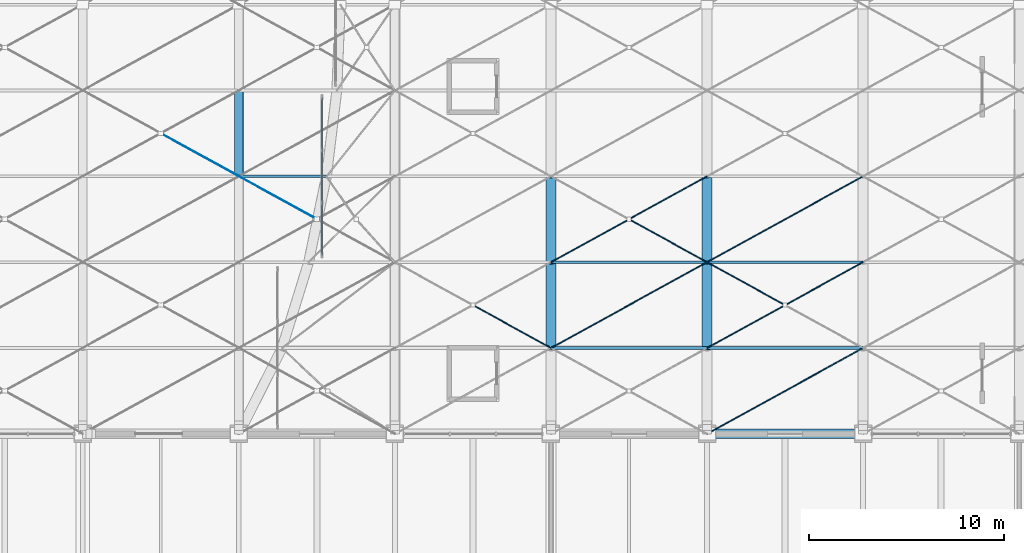
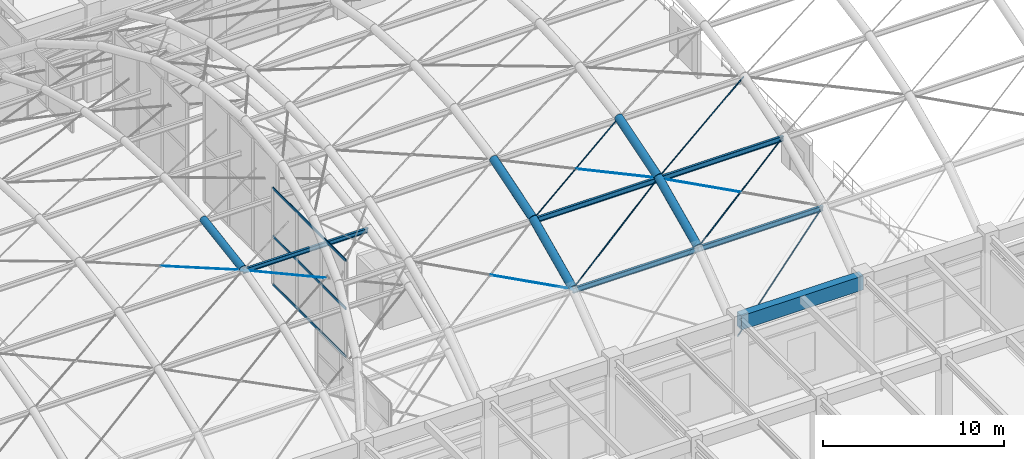
# One storey, part 43 of 163: 13 members, 11 beams, 1 element without a shape of its own.
"""IFC4 building model written with IfcOpenShell, lengths in metres."""

import ifcopenshell
import ifcopenshell.guid

model = None  # the IFC model being written
_history = None  # IfcOwnerHistory: only IFC2X3 demands one
_inside = {}  # id of a spatial element -> (the spatial element, [elements in it])
_under = {}  # id of a project, library or spatial element -> (it, [spatial elements below it])
_declared = {}  # id of a project -> (the project, [libraries it declares])
_typed = {}  # id of a type object -> (the type object, [elements of that type])
_made_of = {}  # id of a material, layer set ... -> (it, [elements and type objects made of it])


def new_model(schema):
    """Start an empty IFC model of exactly this schema.

    Asked for "IFC4X3", IfcOpenShell would pick the latest addendum, in which some entities
    have other attributes; the version numbers below select the first issue.
    IFC2X3 requires an IfcOwnerHistory on every rooted entity: one is made here for all.
    """
    global model, _history
    if schema == "IFC4X3":
        model = ifcopenshell.file(schema_version=(4, 3, 0, 0))
    else:
        model = ifcopenshell.file(schema=schema)
    _inside.clear()
    _under.clear()
    _declared.clear()
    _typed.clear()
    _made_of.clear()
    _history = None
    if model.schema == "IFC2X3":
        org = make("IfcOrganization", Name="unknown")
        user = make(
            "IfcPersonAndOrganization",
            ThePerson=make("IfcPerson", FamilyName="unknown"),
            TheOrganization=org,
        )
        app = make(
            "IfcApplication",
            ApplicationDeveloper=org,
            Version="unknown",
            ApplicationFullName="unknown",
            ApplicationIdentifier="unknown",
        )
        _history = make(
            "IfcOwnerHistory",
            OwningUser=user,
            OwningApplication=app,
            ChangeAction="ADDED",
            CreationDate=0,
        )
    return model


def make(cls, **values):
    """One entity of the class cls with the attributes given. An attribute that is None is left unset."""
    return model.create_entity(
        cls, **{name: value for name, value in values.items() if value is not None}
    )


def rooted(cls, **values):
    """An entity with a GlobalId (a new one), such as an element, a storey or a relation."""
    return make(cls, GlobalId=ifcopenshell.guid.new(), OwnerHistory=_history, **values)


def si_unit(unit_type, name, prefix=None):
    """IfcSIUnit, for example si_unit("LENGTHUNIT", "METRE", prefix="MILLI")."""
    return make("IfcSIUnit", UnitType=unit_type, Prefix=prefix, Name=name)


def assignment(units):
    """IfcUnitAssignment: the units of a project."""
    return None if units is None else make("IfcUnitAssignment", Units=units)


def point(xyz):
    """IfcCartesianPoint."""
    return None if xyz is None else make("IfcCartesianPoint", Coordinates=xyz)


def direction(xyz):
    """IfcDirection."""
    return None if xyz is None else make("IfcDirection", DirectionRatios=xyz)


def frame(location, z_axis=None, x_axis=None):
    """IfcAxis2Placement3D, a coordinate frame: its origin and axes. An axis left out is left unset."""
    return make(
        "IfcAxis2Placement3D",
        Location=point(location),
        Axis=direction(z_axis),
        RefDirection=direction(x_axis),
    )


def frame_2d(location, x_axis=None):
    """IfcAxis2Placement2D, a coordinate frame in the plane: its origin and x axis."""
    return make(
        "IfcAxis2Placement2D", Location=point(location), RefDirection=direction(x_axis)
    )


def origin():
    """The frame at (0, 0, 0) with its axes left unset."""
    return frame((0.0, 0.0, 0.0))


def origin_2d():
    """The frame at (0, 0) in the plane with its x axis left unset."""
    return frame_2d((0.0, 0.0))


def place(relative_to, where):
    """IfcLocalPlacement: puts the frame where relative to a parent placement (None: the world)."""
    return make(
        "IfcLocalPlacement", PlacementRelTo=relative_to, RelativePlacement=where
    )


def context(
    kind, dimensions, precision=None, world=None, true_north=None, identifier=None
):
    """IfcGeometricRepresentationContext, for example the 3D "Model" context."""
    return make(
        "IfcGeometricRepresentationContext",
        ContextIdentifier=identifier,
        ContextType=kind,
        CoordinateSpaceDimension=dimensions,
        Precision=precision,
        WorldCoordinateSystem=world,
        TrueNorth=true_north,
    )


def subcontext(parent, identifier, kind, view, scale=None):
    """IfcGeometricRepresentationSubContext, for example "Body" below "Model"."""
    return make(
        "IfcGeometricRepresentationSubContext",
        ContextIdentifier=identifier,
        ContextType=kind,
        ParentContext=parent,
        TargetScale=scale,
        TargetView=view,
    )


def project(units=None, contexts=None):
    """IfcProject with its units and contexts."""
    return rooted(
        "IfcProject",
        Name="project",
        RepresentationContexts=contexts,
        UnitsInContext=assignment(units),
    )


def spatial(cls, under=None, at=None, **own):
    """A site, building, storey or space (cls), placed at a placement, below another one or the project."""
    s = rooted(cls, ObjectPlacement=at, **own)
    if under is not None:
        _under.setdefault(under.id(), (under, []))[1].append(s)
    return s


def profile(cls, at=None, kind="AREA", **sizes):
    """A parametric profile (cls). Its sizes go by their IFC names, for example OverallWidth=200.0."""
    return make(cls, ProfileType=kind, Position=at, **sizes)


def rectangle(**sizes):
    """IfcRectangleProfileDef."""
    return profile("IfcRectangleProfileDef", **sizes)


def hollow_rectangle(**sizes):
    """IfcRectangleHollowProfileDef."""
    return profile("IfcRectangleHollowProfileDef", **sizes)


def circle(**sizes):
    """IfcCircleProfileDef."""
    return profile("IfcCircleProfileDef", **sizes)


def hollow_circle(**sizes):
    """IfcCircleHollowProfileDef."""
    return profile("IfcCircleHollowProfileDef", **sizes)


def i_section(**sizes):
    """IfcIShapeProfileDef."""
    return profile("IfcIShapeProfileDef", **sizes)


def extrude(swept, where, along, depth):
    """IfcExtrudedAreaSolid: the profile swept, set in the frame where, extruded along a direction by depth."""
    return make(
        "IfcExtrudedAreaSolid",
        SweptArea=swept,
        Position=where,
        ExtrudedDirection=direction(along),
        Depth=depth,
    )


def shape(context_of_items, identifier, shape_type, items):
    """IfcShapeRepresentation: the items that make up one representation, for example the "Body"."""
    return make(
        "IfcShapeRepresentation",
        ContextOfItems=context_of_items,
        RepresentationIdentifier=identifier,
        RepresentationType=shape_type,
        Items=items,
    )


def material(Name=None, Category=None):
    """IfcMaterial."""
    return make("IfcMaterial", Name=Name, Category=Category)


def material_profile(
    of_material, cross_section, Name=None, Category=None, Priority=None
):
    """IfcMaterialProfile: a cross section and its material."""
    return make(
        "IfcMaterialProfile",
        Name=Name,
        Material=of_material,
        Profile=cross_section,
        Priority=Priority,
        Category=Category,
    )


def profile_set(profiles, Name=None, composite=None):
    """IfcMaterialProfileSet."""
    return make(
        "IfcMaterialProfileSet",
        Name=Name,
        MaterialProfiles=profiles,
        CompositeProfile=composite,
    )


def made_of(thing, what):
    """Note that an element or type object is made of a material, layer set ...; save() writes the relation."""
    if what is not None:
        _made_of.setdefault(what.id(), (what, []))[1].append(thing)
    return thing


def type_object(cls, material=None, **own):
    """A type object (cls), such as IfcWallType, which elements share."""
    return made_of(rooted(cls, **own), material)


def element(
    cls,
    number,
    at=None,
    inside=None,
    cuts=None,
    type_object=None,
    material=None,
    context=None,
    identifier="Body",
    shape_type=None,
    held_by="IfcProductDefinitionShape",
    body=None,
    shapes=None,
    **own,
):
    """One element of the class cls, such as IfcWall. Its Tag is "e" and its number.

    at: its placement. inside: the storey or other place that contains it. cuts: it is an
    opening in that element (IfcRelVoidsElement). A single representation is given by context,
    identifier, shape_type and body (its items); several are given by shapes. held_by: the class
    of the entity that holds the representations. save() writes the other relations.
    """
    e = rooted(cls, Tag="e%d" % number, ObjectPlacement=at, **own)
    if body is not None:
        shapes = [shape(context, identifier, shape_type, body)]
    if shapes is not None:
        e.Representation = make(held_by, Representations=shapes)
    if inside is not None:
        _inside.setdefault(inside.id(), (inside, []))[1].append(e)
    if cuts is not None:
        rooted(
            "IfcRelVoidsElement", RelatingBuildingElement=cuts, RelatedOpeningElement=e
        )
    if type_object is not None:
        _typed.setdefault(type_object.id(), (type_object, []))[1].append(e)
    return made_of(e, material)


def aggregate(whole, parts):
    """IfcRelAggregates: a whole, such as a stair, and the parts it consists of."""
    return rooted("IfcRelAggregates", RelatingObject=whole, RelatedObjects=parts)


def save(model, path):
    """Write the relations noted so far, then the file.

    IfcRelAggregates (storeys below a building ...), IfcRelContainedInSpatialStructure (elements
    in a storey), IfcRelDefinesByType, IfcRelAssociatesMaterial and IfcRelDeclares: one each for
    every whole, place, type object, material and project.
    """
    for whole, parts in _under.values():
        aggregate(whole, parts)
    for where, things in _inside.values():
        rooted(
            "IfcRelContainedInSpatialStructure",
            RelatedElements=things,
            RelatingStructure=where,
        )
    for kind, things in _typed.values():
        rooted("IfcRelDefinesByType", RelatedObjects=things, RelatingType=kind)
    for what, things in _made_of.values():
        rooted("IfcRelAssociatesMaterial", RelatedObjects=things, RelatingMaterial=what)
    for by, libraries in _declared.values():
        rooted("IfcRelDeclares", RelatingContext=by, RelatedDefinitions=libraries)
    model.write(path)


model = new_model("IFC4")

# Units and contexts
model_context = context("Model", 3, precision=1e-05, world=origin(), true_north=direction((0.0, 1.0)))
body_context = subcontext(model_context, "Body", "Model", "MODEL_VIEW")
ifc_project = project(units=[si_unit("LENGTHUNIT", "METRE"), si_unit("AREAUNIT", "SQUARE_METRE"), si_unit("VOLUMEUNIT", "CUBIC_METRE"), si_unit("PLANEANGLEUNIT", "RADIAN"), si_unit("MASSUNIT", "GRAM", prefix="KILO")], contexts=[model_context])

# Site, building, storey
site_placement = place(None, origin())
site = spatial("IfcSite", under=ifc_project, at=site_placement, CompositionType="ELEMENT")
building_placement = place(site_placement, origin())
building = spatial("IfcBuilding", under=site, at=building_placement, Name="Varnabhumi Central Station", CompositionType="ELEMENT")
storey_placement = place(building_placement, frame((0.0, 0.0, 9.60009765625)))
storey = spatial("IfcBuildingStorey", under=building, at=storey_placement, Name="L02", CompositionType="ELEMENT", Elevation=9.60009765625)

# Beams
ifc_material_1 = material(Name="Structural steel E450", Category="steel")
ifc_material_profile_1 = material_profile(ifc_material_1, hollow_circle(Radius=0.228515625, WallThickness=0.01611328125, at=origin_2d()), Name="Structural steel E450", Category="steel")
ifc_profile_set_1 = profile_set([ifc_material_profile_1], Name="Structural steel E450")
beam_type_1 = type_object("IfcBeamType", Name="BM-ARCH-CHS457", PredefinedType="BEAM", material=ifc_profile_set_1)
beam_1_placement = place(storey_placement, frame((72.0, 49.199951171875, 9.8232421875), z_axis=(0.0, 0.987684638155, 0.156457839535), x_axis=(-1.0, 0.0, 0.0)))
element("IfcBeam", 1, at=beam_1_placement, inside=storey, type_object=beam_type_1, Name="Ticket Hall Vault Arch Rib 5 Seg 4", PredefinedType="BEAM", context=body_context, shape_type="SweptSolid", body=[
    extrude(hollow_circle(Radius=0.228515625, WallThickness=0.01611328125, at=origin_2d()), origin(), (0.0, 0.0, 1.0), 4.455078125),
])
ifc_material_2 = material(Name="Structural steel E350", Category="steel")
ifc_material_profile_2 = material_profile(ifc_material_2, hollow_circle(Radius=0.25390625, WallThickness=0.02001953125, at=origin_2d()), Name="Structural steel E350", Category="steel")
ifc_profile_set_2 = profile_set([ifc_material_profile_2], Name="Structural steel E350")
beam_type_2 = type_object("IfcBeamType", Name="BM-ARCH-CHS508", PredefinedType="BEAM", material=ifc_profile_set_2)
beam_2_placement = place(storey_placement, frame((88.0, 40.39990234375, 8.270751953125), z_axis=(0.0, 0.906832494276, 0.421491194837), x_axis=(-1.0, 0.0, 0.0)))
element("IfcBeam", 2, at=beam_2_placement, inside=storey, type_object=beam_type_2, Name="Departure Concourse Vault Arch Rib 3 Seg 2", PredefinedType="BEAM", context=body_context, shape_type="SweptSolid", body=[
    extrude(hollow_circle(Radius=0.25390625, WallThickness=0.02001953125, at=origin_2d()), origin(), (0.0, 0.0, 1.0), 4.852294921875),
])
beam_3_placement = place(storey_placement, frame((88.0, 44.800048828125, 10.31591796875), z_axis=(0.0, 0.954719095828, 0.29750873611), x_axis=(-1.0, 0.0, 0.0)))
element("IfcBeam", 3, at=beam_3_placement, inside=storey, type_object=beam_type_2, Name="Departure Concourse Vault Arch Rib 3 Seg 3", PredefinedType="BEAM", context=body_context, shape_type="SweptSolid", body=[
    extrude(hollow_circle(Radius=0.25390625, WallThickness=0.02001953125, at=origin_2d()), origin(), (0.0, 0.0, 1.0), 4.608642578125),
])
beam_4_placement = place(storey_placement, frame((96.0, 40.39990234375, 8.270751953125), z_axis=(0.0, 0.906832494276, 0.421491194837), x_axis=(-1.0, 0.0, 0.0)))
element("IfcBeam", 4, at=beam_4_placement, inside=storey, type_object=beam_type_2, Name="Departure Concourse Vault Arch Rib 4 Seg 2", PredefinedType="BEAM", context=body_context, shape_type="SweptSolid", body=[
    extrude(hollow_circle(Radius=0.25390625, WallThickness=0.02001953125, at=origin_2d()), origin(), (0.0, 0.0, 1.0), 4.852294921875),
])
beam_5_placement = place(storey_placement, frame((96.0, 44.800048828125, 10.31591796875), z_axis=(0.0, 0.954719095828, 0.29750873611), x_axis=(-1.0, 0.0, 0.0)))
element("IfcBeam", 5, at=beam_5_placement, inside=storey, type_object=beam_type_2, Name="Departure Concourse Vault Arch Rib 4 Seg 3", PredefinedType="BEAM", context=body_context, shape_type="SweptSolid", body=[
    extrude(hollow_circle(Radius=0.25390625, WallThickness=0.02001953125, at=origin_2d()), origin(), (0.0, 0.0, 1.0), 4.608642578125),
])
ifc_material_profile_3 = material_profile(ifc_material_2, i_section(OverallWidth=0.139892578125, OverallDepth=0.300048828125, WebThickness=0.0078125, FlangeThickness=0.01318359375, FilletRadius=0.013916015625, at=origin_2d()), Name="Structural steel E350", Category="steel")
ifc_profile_set_3 = profile_set([ifc_material_profile_3], Name="Structural steel E350")
beam_type_3 = type_object("IfcBeamType", Name="BM-PUR-ISMB300", PredefinedType="LINTEL", material=ifc_profile_set_3)
beam_6_placement = place(storey_placement, frame((72.0, 49.199951171875, 9.67333984375), z_axis=(1.0, 0.0, 0.0), x_axis=(0.0, 1.0, 0.0)))
element("IfcBeam", 6, at=beam_6_placement, inside=storey, type_object=beam_type_3, Name="Ticket Hall Vault Purlin B5-L3", PredefinedType="LINTEL", context=body_context, shape_type="SweptSolid", body=[
    extrude(i_section(OverallWidth=0.139892578125, OverallDepth=0.300048828125, WebThickness=0.0078125, FlangeThickness=0.01318359375, FilletRadius=0.013916015625, at=origin_2d()), origin(), (0.0, 0.0, 1.0), 8.0),
])
ifc_material_profile_4 = material_profile(ifc_material_2, i_section(OverallWidth=0.139892578125, OverallDepth=0.35009765625, WebThickness=0.008056640625, FlangeThickness=0.01416015625, FilletRadius=0.013916015625, at=origin_2d()), Name="Structural steel E350", Category="steel")
ifc_profile_set_4 = profile_set([ifc_material_profile_4], Name="Structural steel E350")
beam_type_4 = type_object("IfcBeamType", Name="BM-PUR-ISMB350", PredefinedType="LINTEL", material=ifc_profile_set_4)
for number, where, z_axis, x_axis, name in (
    (7, (88.0, 40.39990234375, 8.095703125), (1.0, 0.0, 0.0), (0.0, 1.0, 0.0), "Departure Concourse Vault Purlin B3-L1"),
    (8, (88.0, 44.800048828125, 10.140869140625), (1.0, 0.0, 0.0), (0.0, 1.0, 0.0), "Departure Concourse Vault Purlin B3-L2"),
    (9, (96.0, 40.39990234375, 8.095703125), (1.0, 0.0, 0.0), (0.0, 1.0, 0.0), "Departure Concourse Vault Purlin B4-L1"),
    (10, (96.0, 44.800048828125, 10.140869140625), (1.0, 0.0, 0.0), (0.0, 1.0, 0.0), "Departure Concourse Vault Purlin B4-L2"),
):
    element("IfcBeam", number, at=place(storey_placement, frame(where, z_axis=z_axis, x_axis=x_axis)), inside=storey, type_object=beam_type_4, Name=name, PredefinedType="LINTEL", context=body_context, shape_type="SweptSolid", body=[
        extrude(i_section(OverallWidth=0.139892578125, OverallDepth=0.35009765625, WebThickness=0.008056640625, FlangeThickness=0.01416015625, FilletRadius=0.013916015625, at=origin_2d()), origin(), (0.0, 0.0, 1.0), 8.0),
    ])
ifc_material_3 = material(Name="Concrete M40", Category="concrete")
ifc_material_profile_5 = material_profile(ifc_material_3, rectangle(XDim=0.5, YDim=0.949951171875, at=origin_2d()), Name="Concrete M40", Category="concrete")
ifc_profile_set_5 = profile_set([ifc_material_profile_5], Name="Concrete M40")
beam_type_5 = type_object("IfcBeamType", Name="BM-RC-950x500", PredefinedType="BEAM", material=ifc_profile_set_5)
beam_7_placement = place(storey_placement, frame((96.10009765625, 36.0, 5.875), z_axis=(1.0, 0.0, 0.0), x_axis=(0.0, 1.0, 0.0)))
element("IfcBeam", 11, at=beam_7_placement, inside=storey, type_object=beam_type_5, Name="Beam L02-E:13-14", PredefinedType="BEAM", context=body_context, shape_type="SweptSolid", body=[
    extrude(rectangle(XDim=0.5, YDim=0.949951171875, at=origin_2d()), origin(), (0.0, 0.0, 1.0), 7.7998046875),
])

# Curtain wall, members
ifc_material_4 = material(Name="Anodised aluminium 6063-T6", Category="aluminium")
curtain_wall_type = type_object("IfcCurtainWallType", Name="CW-VAULT-ARCH-V4", PredefinedType="NOTDEFINED", material=ifc_material_4)
curtain_wall_placement = place(storey_placement, origin())
curtain_wall = element("IfcCurtainWall", 12, at=curtain_wall_placement, inside=storey, type_object=curtain_wall_type, Name="Curtain Wall CW-V42", PredefinedType="NOTDEFINED")
ifc_material_profile_6 = material_profile(ifc_material_4, hollow_rectangle(XDim=0.06494140625, YDim=0.179931640625, WallThickness=0.00390625, InnerFilletRadius=0.001953125, OuterFilletRadius=0.006103515625, at=origin_2d()), Name="Anodised aluminium 6063-T6", Category="aluminium")
ifc_profile_set_6 = profile_set([ifc_material_profile_6], Name="Anodised aluminium 6063-T6")
member_type_1 = type_object("IfcMemberType", Name="CW-TR-180", PredefinedType="USERDEFINED", material=ifc_profile_set_6)
member_1_placement = place(storey_placement, frame((76.258056640625, 45.14990234375, 4.849853515625), z_axis=(0.0, 1.0, 0.0), x_axis=(-1.0, 0.0, 0.0)))
member_1 = element("IfcMember", 13, at=member_1_placement, type_object=member_type_1, Name="Curtain Wall Transom CW-V42-T1", ObjectType="TRANSOM", PredefinedType="USERDEFINED", context=body_context, shape_type="SweptSolid", body=[
    extrude(hollow_rectangle(XDim=0.06494140625, YDim=0.179931640625, WallThickness=0.00390625, InnerFilletRadius=0.001953125, OuterFilletRadius=0.006103515625, at=origin_2d()), origin(), (0.0, 0.0, 1.0), 8.10009765625),
])
member_2_placement = place(storey_placement, frame((76.258056640625, 45.14990234375, 8.093505859375), z_axis=(0.0, 1.0, 0.0), x_axis=(-1.0, 0.0, 0.0)))
member_2 = element("IfcMember", 14, at=member_2_placement, type_object=member_type_1, Name="Curtain Wall Transom CW-V42-T2", ObjectType="TRANSOM", PredefinedType="USERDEFINED", context=body_context, shape_type="SweptSolid", body=[
    extrude(hollow_rectangle(XDim=0.06494140625, YDim=0.179931640625, WallThickness=0.00390625, InnerFilletRadius=0.001953125, OuterFilletRadius=0.006103515625, at=origin_2d()), origin(), (0.0, 0.0, 1.0), 8.10009765625),
])
member_3_placement = place(storey_placement, frame((76.258056640625, 45.14990234375, 11.3369140625), z_axis=(0.0, 1.0, 0.0), x_axis=(-1.0, 0.0, 0.0)))
member_3 = element("IfcMember", 15, at=member_3_placement, type_object=member_type_1, Name="Curtain Wall Transom CW-V42-T3", ObjectType="TRANSOM", PredefinedType="USERDEFINED", context=body_context, shape_type="SweptSolid", body=[
    extrude(hollow_rectangle(XDim=0.06494140625, YDim=0.179931640625, WallThickness=0.00390625, InnerFilletRadius=0.001953125, OuterFilletRadius=0.006103515625, at=origin_2d()), origin(), (0.0, 0.0, 1.0), 8.10009765625),
])
aggregate(curtain_wall, [member_1, member_2, member_3])

# Members
ifc_material_5 = material(Name="Spiral-strand steel S1570", Category="steel")
ifc_material_profile_7 = material_profile(ifc_material_5, circle(Radius=0.02099609375, at=origin_2d()), Name="Spiral-strand steel S1570", Category="steel")
ifc_profile_set_7 = profile_set([ifc_material_profile_7], Name="Spiral-strand steel S1570")
member_type_2 = type_object("IfcMemberType", Name="MBR-CABLE-D42", PredefinedType="USERDEFINED", material=ifc_profile_set_7)
member_4_placement = place(storey_placement, frame((68.0, 51.39990234375, 10.091796875), z_axis=(0.87367988438, -0.480513271371, -0.076095043641), x_axis=(0.481910537812, 0.876220425204, 0.0)))
element("IfcMember", 16, at=member_4_placement, inside=storey, type_object=member_type_2, Name="Ticket Hall Vault Cable-Net Split Tie B4-P4B2", ObjectType="TENSION CABLE", PredefinedType="USERDEFINED", context=body_context, shape_type="SweptSolid", body=[
    extrude(circle(Radius=0.02099609375, at=origin_2d()), origin(), (0.0, 0.0, 1.0), 4.578369140625),
])
member_5_placement = place(storey_placement, frame((72.0, 49.199951171875, 9.743408203125), z_axis=(0.868800425867, -0.477829628753, -0.1298640285), x_axis=(0.481910537812, 0.876220425204, 0.0)))
element("IfcMember", 17, at=member_5_placement, inside=storey, type_object=member_type_2, Name="Ticket Hall Vault Cable-Net Split Tie B5-P3B1", ObjectType="TENSION CABLE", PredefinedType="USERDEFINED", context=body_context, shape_type="SweptSolid", body=[
    extrude(circle(Radius=0.02099609375, at=origin_2d()), origin(), (0.0, 0.0, 1.0), 4.60400390625),
])
ifc_material_profile_8 = material_profile(ifc_material_5, circle(Radius=0.027099609375, at=origin_2d()), Name="Spiral-strand steel S1570", Category="steel")
ifc_profile_set_8 = profile_set([ifc_material_profile_8], Name="Spiral-strand steel S1570")
member_type_3 = type_object("IfcMemberType", Name="MBR-CABLE-D54", PredefinedType="USERDEFINED", material=ifc_profile_set_8)
member_6_placement = place(storey_placement, frame((84.0, 42.60009765625, 9.21337890625), z_axis=(0.855015442154, -0.470300241986, -0.218554972641), x_axis=(0.481951596342, 0.876197842262, 0.0)))
element("IfcMember", 18, at=member_6_placement, inside=storey, type_object=member_type_3, Name="Departure Concourse Vault Cable-Net Split Tie B2-P2B2", ObjectType="TENSION CABLE", PredefinedType="USERDEFINED", context=body_context, shape_type="SweptSolid", body=[
    extrude(circle(Radius=0.027099609375, at=origin_2d()), origin(), (0.0, 0.0, 1.0), 4.67822265625),
])
member_7_placement = place(storey_placement, frame((88.0, 40.39990234375, 8.19091796875), z_axis=(0.855025934416, 0.470279919921, 0.218557654623), x_axis=(-0.481931067474, 0.876209133828, 0.0)))
element("IfcMember", 19, at=member_7_placement, inside=storey, type_object=member_type_3, Name="Departure Concourse Vault Cable-Net Tie B3-P2A", ObjectType="TENSION CABLE", PredefinedType="USERDEFINED", context=body_context, shape_type="SweptSolid", body=[
    extrude(circle(Radius=0.027099609375, at=origin_2d()), origin(), (0.0, 0.0, 1.0), 9.3564453125),
])
member_8_placement = place(storey_placement, frame((88.0, 44.800048828125, 10.23583984375), z_axis=(0.866504286303, 0.476566780022, 0.148507326412), x_axis=(-0.481910537812, 0.876220425204, 0.0)))
element("IfcMember", 20, at=member_8_placement, inside=storey, type_object=member_type_3, Name="Departure Concourse Vault Cable-Net Tie B3-P3A", ObjectType="TENSION CABLE", PredefinedType="USERDEFINED", context=body_context, shape_type="SweptSolid", body=[
    extrude(circle(Radius=0.027099609375, at=origin_2d()), origin(), (0.0, 0.0, 1.0), 9.232421875),
])
member_9_placement = place(storey_placement, frame((92.0, 47.0, 10.92138671875), z_axis=(0.866504286303, -0.476566780022, -0.148507326412), x_axis=(0.481910537812, 0.876220425204, 0.0)))
element("IfcMember", 21, at=member_9_placement, inside=storey, type_object=member_type_3, Name="Departure Concourse Vault Cable-Net Split Tie B3-P3B2", ObjectType="TENSION CABLE", PredefinedType="USERDEFINED", context=body_context, shape_type="SweptSolid", body=[
    extrude(circle(Radius=0.027099609375, at=origin_2d()), origin(), (0.0, 0.0, 1.0), 4.6162109375),
])
member_10_placement = place(storey_placement, frame((96.0, 36.0, 4.869873046875), z_axis=(0.823437214719, 0.452880416372, 0.341833997553), x_axis=(-0.481910537812, 0.876220425204, 0.0)))
element("IfcMember", 22, at=member_10_placement, inside=storey, type_object=member_type_3, Name="Departure Concourse Vault Cable-Net Tie B4-P1A", ObjectType="TENSION CABLE", PredefinedType="USERDEFINED", context=body_context, shape_type="SweptSolid", body=[
    extrude(circle(Radius=0.027099609375, at=origin_2d()), origin(), (0.0, 0.0, 1.0), 9.71533203125),
])
member_11_placement = place(storey_placement, frame((96.0, 40.39990234375, 8.19091796875), z_axis=(0.855025934416, 0.470279919921, 0.218557654623), x_axis=(-0.481931067474, 0.876209133828, 0.0)))
element("IfcMember", 23, at=member_11_placement, inside=storey, type_object=member_type_3, Name="Departure Concourse Vault Cable-Net Tie B4-P2A", ObjectType="TENSION CABLE", PredefinedType="USERDEFINED", context=body_context, shape_type="SweptSolid", body=[
    extrude(circle(Radius=0.027099609375, at=origin_2d()), origin(), (0.0, 0.0, 1.0), 9.3564453125),
])
member_12_placement = place(storey_placement, frame((96.0, 44.800048828125, 10.23583984375), z_axis=(0.855036426483, -0.470259597109, -0.218560336554), x_axis=(0.481910537812, 0.876220425204, 0.0)))
element("IfcMember", 24, at=member_12_placement, inside=storey, type_object=member_type_3, Name="Departure Concourse Vault Cable-Net Split Tie B4-P2B1", ObjectType="TENSION CABLE", PredefinedType="USERDEFINED", context=body_context, shape_type="SweptSolid", body=[
    extrude(circle(Radius=0.027099609375, at=origin_2d()), origin(), (0.0, 0.0, 1.0), 4.67822265625),
])
member_13_placement = place(storey_placement, frame((96.0, 44.800048828125, 10.23583984375), z_axis=(0.866504286303, 0.476566780022, 0.148507326412), x_axis=(-0.481910537812, 0.876220425204, 0.0)))
element("IfcMember", 25, at=member_13_placement, inside=storey, type_object=member_type_3, Name="Departure Concourse Vault Cable-Net Tie B4-P3A", ObjectType="TENSION CABLE", PredefinedType="USERDEFINED", context=body_context, shape_type="SweptSolid", body=[
    extrude(circle(Radius=0.027099609375, at=origin_2d()), origin(), (0.0, 0.0, 1.0), 9.232421875),
])

save(model, "model.ifc")
